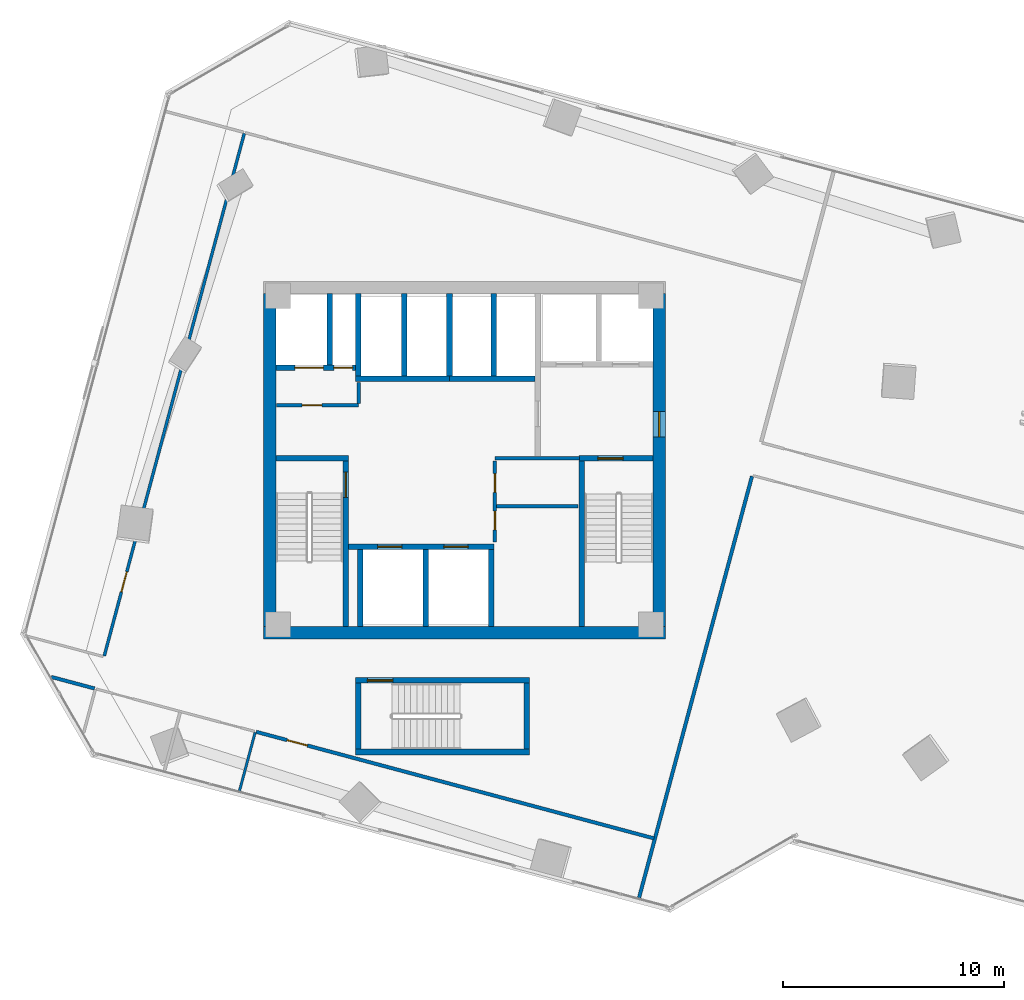
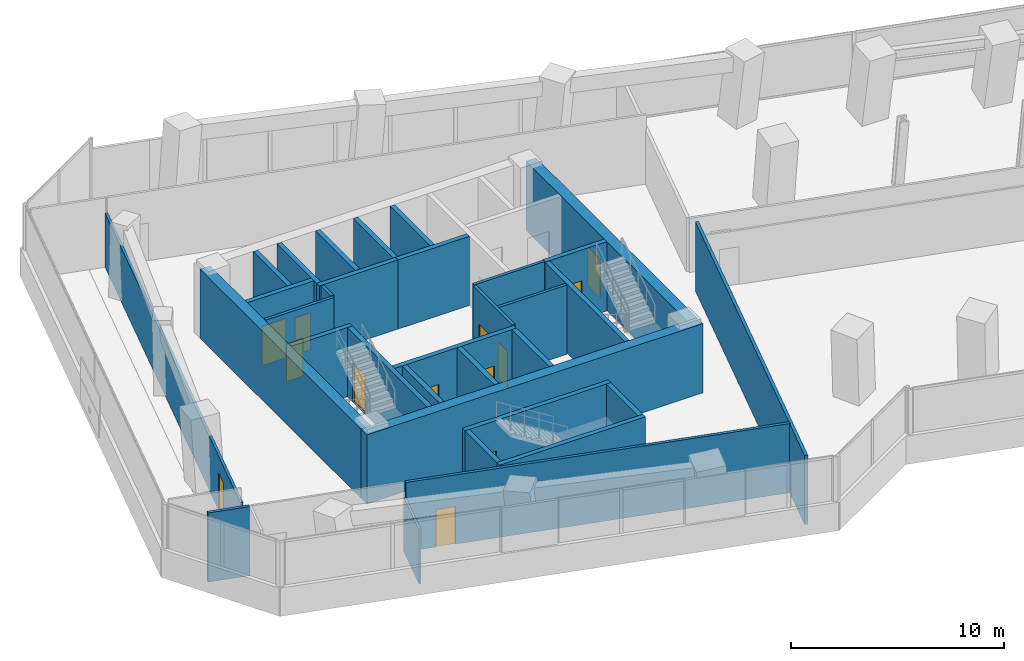
# One storey, part 21 of 27: 33 walls, 13 doors, 13 openings.
"""IFC4 building model written with IfcOpenShell, lengths in metres."""

from ifc_helpers import new_model, si_unit, direction, frame, frame_2d, origin, place, context, subcontext, project, spatial, rectangle, extrude, source, transform, mapped, material, layer, layer_set, type_object, element, fill, save


model = new_model("IFC4")

# Units and contexts
model_context = context("Model", 3, precision=1e-05, world=origin(), true_north=direction((0.0, 1.0)))
body_context = subcontext(model_context, "Body", "Model", "MODEL_VIEW")
ifc_project = project(units=[si_unit("LENGTHUNIT", "METRE"), si_unit("AREAUNIT", "SQUARE_METRE"), si_unit("VOLUMEUNIT", "CUBIC_METRE"), si_unit("PLANEANGLEUNIT", "RADIAN"), si_unit("MASSUNIT", "GRAM", prefix="KILO")], contexts=[model_context])

# Site, building, storey
site_placement = place(None, origin())
site = spatial("IfcSite", under=ifc_project, at=site_placement, CompositionType="ELEMENT")
building_placement = place(site_placement, origin())
building = spatial("IfcBuilding", under=site, at=building_placement, Name="Torre Montelarca", CompositionType="ELEMENT")
storey_placement = place(building_placement, frame((0.0, 0.0, 108.39990234375)))
storey = spatial("IfcBuildingStorey", under=building, at=storey_placement, Name="L24", CompositionType="ELEMENT", Elevation=108.39990234375)

# Wall, opening, door
ifc_material_1 = material(Name="Concrete C40/50", Category="concrete")
ifc_layer_1 = layer(ifc_material_1, 0.25, Name="Concrete C40/50", Category="concrete")
ifc_layer_set_1 = layer_set([ifc_layer_1], Name="Concrete C40/50")
wall_type_1 = type_object("IfcWallType", Name="CW-SHAFT-250", PredefinedType="SHEAR", material=ifc_layer_set_1)
wall_1_placement = place(storey_placement, frame((12.625, 24.4599609375, 0.0), z_axis=(0.0, 0.0, 1.0), x_axis=(0.0, 1.0, 0.0)))
wall_1 = element("IfcWall", 1, at=wall_1_placement, inside=storey, type_object=wall_type_1, Name="L24 Core Shear Wall SH-ST1-E", PredefinedType="SHEAR", context=body_context, shape_type="SweptSolid", body=[
    extrude(rectangle(XDim=7.489990234375, YDim=0.25, at=frame_2d((3.7451171875, 0.0))), origin(), (0.0, 0.0, 1.0), 3.960205078125),
])
opening_1_placement = place(wall_1_placement, frame((5.85009765625, 0.0, 0.0)))
opening_1 = element("IfcOpeningElement", 2, at=opening_1_placement, cuts=wall_1, Name="Opening FD-ST1", PredefinedType="OPENING", context=body_context, shape_type="SweptSolid", body=[
    extrude(rectangle(XDim=1.14990234375, YDim=2.199951171875, at=frame_2d((0.574951171875, 1.10009765625))), frame((0.0, 0.135009765625, 0.0), z_axis=(0.0, -1.0, 0.0), x_axis=(1.0, 0.0, 0.0)), (0.0, 0.0, 1.0), 0.27001953125),
])
ifc_material_2 = material(Name="Galvanized steel fire door", Category="steel")
door_type_1 = type_object("IfcDoorType", Name="DR-STAIR-115", OperationType="NOTDEFINED", PredefinedType="DOOR", material=ifc_material_2)
shared_shape_1 = source(origin(), body_context, "Body", "SweptSolid", [
    extrude(rectangle(XDim=1.14990234375, YDim=2.199951171875, at=frame_2d((0.574951171875, 1.10009765625))), frame((0.0, 0.02490234375, 0.0), z_axis=(0.0, -1.0, 0.0), x_axis=(1.0, 0.0, 0.0)), (0.0, 0.0, 1.0), 0.050048828125),
])
door_1_placement = place(opening_1_placement, origin())
door_1 = element("IfcDoor", 3, at=door_1_placement, inside=storey, type_object=door_type_1, Name="L24 Exit Stair ST1 Fire Door", OperationType="SINGLE_SWING_RIGHT", OverallHeight=2.199951171875, OverallWidth=1.14990234375, PredefinedType="DOOR", context=body_context, shape_type="MappedRepresentation", body=[
    mapped(shared_shape_1, transform((0.0, 0.0, 0.0), scale=1.0)),
])
fill(opening_1, door_1)

# Walls
wall_2_placement = place(storey_placement, frame((9.4599609375, 32.074951171875, 0.0), z_axis=(0.0, 0.0, 1.0), x_axis=(1.0, 0.0, 0.0)))
element("IfcWall", 4, at=wall_2_placement, inside=storey, type_object=wall_type_1, Name="L24 Core Shear Wall SH-ST1-N", PredefinedType="SHEAR", context=body_context, shape_type="SweptSolid", body=[
    extrude(rectangle(XDim=3.2900390625, YDim=0.25, at=frame_2d((1.64501953125, 0.0))), origin(), (0.0, 0.0, 1.0), 3.960205078125),
])
wall_3_placement = place(storey_placement, frame((23.31494140625, 24.4599609375, 0.0), z_axis=(0.0, 0.0, 1.0), x_axis=(0.0, 1.0, 0.0)))
element("IfcWall", 5, at=wall_3_placement, inside=storey, type_object=wall_type_1, Name="L24 Core Shear Wall SH-ST2-W", PredefinedType="SHEAR", context=body_context, shape_type="SweptSolid", body=[
    extrude(rectangle(XDim=7.489990234375, YDim=0.25, at=frame_2d((3.7451171875, 0.0))), origin(), (0.0, 0.0, 1.0), 3.960205078125),
])

# Wall, opening, door
wall_4_placement = place(storey_placement, frame((23.18994140625, 32.074951171875, 0.0), z_axis=(0.0, 0.0, 1.0), x_axis=(1.0, 0.0, 0.0)))
wall_4 = element("IfcWall", 6, at=wall_4_placement, inside=storey, type_object=wall_type_1, Name="L24 Core Shear Wall SH-ST2-N", PredefinedType="SHEAR", context=body_context, shape_type="SweptSolid", body=[
    extrude(rectangle(XDim=3.35009765625, YDim=0.25, at=frame_2d((1.675048828125, 0.0))), origin(), (0.0, 0.0, 1.0), 3.960205078125),
])
opening_2_placement = place(wall_4_placement, frame((0.85009765625, 0.0, 0.0)))
opening_2 = element("IfcOpeningElement", 7, at=opening_2_placement, cuts=wall_4, Name="Opening FD-ST1", PredefinedType="OPENING", context=body_context, shape_type="SweptSolid", body=[
    extrude(rectangle(XDim=1.14990234375, YDim=2.199951171875, at=frame_2d((0.574951171875, 1.10009765625))), frame((0.0, 0.135009765625, 0.0), z_axis=(0.0, -1.0, 0.0), x_axis=(1.0, 0.0, 0.0)), (0.0, 0.0, 1.0), 0.27001953125),
])
door_2_placement = place(opening_2_placement, origin())
door_2 = element("IfcDoor", 8, at=door_2_placement, inside=storey, type_object=door_type_1, Name="L24 Exit Stair ST2 Fire Door", OperationType="SINGLE_SWING_RIGHT", OverallHeight=2.199951171875, OverallWidth=1.14990234375, PredefinedType="DOOR", context=body_context, shape_type="MappedRepresentation", body=[
    mapped(shared_shape_1, transform((0.0, 0.0, 0.0), scale=1.0)),
])
fill(opening_2, door_2)

# Wall, openings, doors
wall_5_placement = place(storey_placement, frame((9.4599609375, 36.179931640625, 0.0), z_axis=(0.0, 0.0, 1.0), x_axis=(1.0, 0.0, 0.0)))
wall_5 = element("IfcWall", 9, at=wall_5_placement, inside=storey, type_object=wall_type_1, Name="L24 Core Shear Wall SH-SV1-S", PredefinedType="SHEAR", context=body_context, shape_type="SweptSolid", body=[
    extrude(rectangle(XDim=3.7900390625, YDim=0.25, at=frame_2d((1.89501953125, 0.0))), origin(), (0.0, 0.0, 1.0), 3.960205078125),
])
opening_3_placement = place(wall_5_placement, frame((2.6201171875, 0.0, 0.0)))
opening_3 = element("IfcOpeningElement", 10, at=opening_3_placement, cuts=wall_5, Name="Opening FD-085", PredefinedType="OPENING", context=body_context, shape_type="SweptSolid", body=[
    extrude(rectangle(XDim=0.85009765625, YDim=2.10009765625, at=frame_2d((0.425048828125, 1.050048828125))), frame((0.0, 0.135009765625, 0.0), z_axis=(0.0, -1.0, 0.0), x_axis=(1.0, 0.0, 0.0)), (0.0, 0.0, 1.0), 0.27001953125),
])
opening_4_placement = place(wall_5_placement, frame((0.85009765625, 0.0, 0.0)))
opening_4 = element("IfcOpeningElement", 11, at=opening_4_placement, cuts=wall_5, Name="Opening LD-130", PredefinedType="OPENING", context=body_context, shape_type="SweptSolid", body=[
    extrude(rectangle(XDim=1.300048828125, YDim=2.25, at=frame_2d((0.64990234375, 1.125))), frame((0.0, 0.135009765625, 0.0), z_axis=(0.0, -1.0, 0.0), x_axis=(1.0, 0.0, 0.0)), (0.0, 0.0, 1.0), 0.27001953125),
])
ifc_material_3 = material(Name="Steel riser access fire door", Category="steel")
door_type_2 = type_object("IfcDoorType", Name="DR-RISER-085", OperationType="NOTDEFINED", PredefinedType="DOOR", material=ifc_material_3)
shared_shape_2 = source(origin(), body_context, "Body", "SweptSolid", [
    extrude(rectangle(XDim=0.85009765625, YDim=2.10009765625, at=frame_2d((0.425048828125, 1.050048828125))), frame((0.0, 0.02490234375, 0.0), z_axis=(0.0, -1.0, 0.0), x_axis=(1.0, 0.0, 0.0)), (0.0, 0.0, 1.0), 0.050048828125),
])
door_3_placement = place(opening_3_placement, origin())
door_3 = element("IfcDoor", 12, at=door_3_placement, inside=storey, type_object=door_type_2, Name="L24 Electrical Riser Shaft Access Door", OperationType="SINGLE_SWING_RIGHT", OverallHeight=2.10009765625, OverallWidth=0.85009765625, PredefinedType="DOOR", context=body_context, shape_type="MappedRepresentation", body=[
    mapped(shared_shape_2, transform((0.0, 0.0, 0.0), scale=1.0)),
])
fill(opening_3, door_3)
ifc_material_4 = material(Name="Brushed stainless steel AISI 316", Category="steel")
door_type_3 = type_object("IfcDoorType", Name="DR-LIFT-130", OperationType="SLIDING_TO_LEFT", PredefinedType="DOOR", material=ifc_material_4)
shared_shape_3 = source(origin(), body_context, "Body", "SweptSolid", [
    extrude(rectangle(XDim=1.300048828125, YDim=2.25, at=frame_2d((0.64990234375, 1.125))), frame((0.0, 0.02490234375, 0.0), z_axis=(0.0, -1.0, 0.0), x_axis=(1.0, 0.0, 0.0)), (0.0, 0.0, 1.0), 0.050048828125),
])
door_4_placement = place(opening_4_placement, origin())
door_4 = element("IfcDoor", 13, at=door_4_placement, inside=storey, type_object=door_type_3, Name="L24 Lift Landing Sliding Door SV-1", OperationType="SLIDING_TO_LEFT", OverallHeight=2.25, OverallWidth=1.300048828125, PredefinedType="DOOR", context=body_context, shape_type="MappedRepresentation", body=[
    mapped(shared_shape_3, transform((0.0, 0.0, 0.0), scale=1.0)),
])
fill(opening_4, door_4)

# Wall
wall_6_placement = place(storey_placement, frame((11.89990234375, 36.31005859375, 0.0), z_axis=(0.0, 0.0, 1.0), x_axis=(0.0, 1.0, 0.0)))
element("IfcWall", 14, at=wall_6_placement, inside=storey, type_object=wall_type_1, Name="L24 Core Shear Wall SH-SV1-E", PredefinedType="SHEAR", context=body_context, shape_type="SweptSolid", body=[
    extrude(rectangle(XDim=3.22998046875, YDim=0.25, at=frame_2d((1.614990234375, 0.0))), origin(), (0.0, 0.0, 1.0), 3.960205078125),
])

# Wall, openings, doors
wall_7_placement = place(storey_placement, frame((12.6298828125, 28.080078125, 0.0), z_axis=(0.0, 0.0, 1.0), x_axis=(1.0, 0.0, 0.0)))
wall_7 = element("IfcWall", 15, at=wall_7_placement, inside=storey, type_object=wall_type_1, Name="L24 Core Shear Wall SH-PLL-N", PredefinedType="SHEAR", context=body_context, shape_type="SweptSolid", body=[
    extrude(rectangle(XDim=6.710205078125, YDim=0.25, at=frame_2d((3.35498046875, 0.0))), origin(), (0.0, 0.0, 1.0), 3.960205078125),
])
opening_5_placement = place(wall_7_placement, frame((1.429931640625, 0.0, 0.0)))
opening_5 = element("IfcOpeningElement", 16, at=opening_5_placement, cuts=wall_7, Name="Opening LD-110", PredefinedType="OPENING", context=body_context, shape_type="SweptSolid", body=[
    extrude(rectangle(XDim=1.10009765625, YDim=2.199951171875, at=frame_2d((0.550048828125, 1.10009765625))), frame((0.0, 0.135009765625, 0.0), z_axis=(0.0, -1.0, 0.0), x_axis=(1.0, 0.0, 0.0)), (0.0, 0.0, 1.0), 0.27001953125),
])
opening_6_placement = place(wall_7_placement, frame((4.429931640625, 0.0, 0.0)))
opening_6 = element("IfcOpeningElement", 17, at=opening_6_placement, cuts=wall_7, Name="Opening LD-110", PredefinedType="OPENING", context=body_context, shape_type="SweptSolid", body=[
    extrude(rectangle(XDim=1.10009765625, YDim=2.199951171875, at=frame_2d((0.550048828125, 1.10009765625))), frame((0.0, 0.135009765625, 0.0), z_axis=(0.0, -1.0, 0.0), x_axis=(1.0, 0.0, 0.0)), (0.0, 0.0, 1.0), 0.27001953125),
])
door_type_4 = type_object("IfcDoorType", Name="DR-LIFT-110", OperationType="SLIDING_TO_LEFT", PredefinedType="DOOR", material=ifc_material_4)
shared_shape_4 = source(origin(), body_context, "Body", "SweptSolid", [
    extrude(rectangle(XDim=1.10009765625, YDim=2.199951171875, at=frame_2d((0.550048828125, 1.10009765625))), frame((0.0, 0.02490234375, 0.0), z_axis=(0.0, -1.0, 0.0), x_axis=(1.0, 0.0, 0.0)), (0.0, 0.0, 1.0), 0.050048828125),
])
door_5_placement = place(opening_5_placement, origin())
door_5 = element("IfcDoor", 18, at=door_5_placement, inside=storey, type_object=door_type_4, Name="L24 Lift Landing Sliding Door PL-L1", OperationType="SLIDING_TO_LEFT", OverallHeight=2.199951171875, OverallWidth=1.10009765625, PredefinedType="DOOR", context=body_context, shape_type="MappedRepresentation", body=[
    mapped(shared_shape_4, transform((0.0, 0.0, 0.0), scale=1.0)),
])
fill(opening_5, door_5)
door_6_placement = place(opening_6_placement, origin())
door_6 = element("IfcDoor", 19, at=door_6_placement, inside=storey, type_object=door_type_4, Name="L24 Lift Landing Sliding Door PL-L2", OperationType="SLIDING_TO_RIGHT", OverallHeight=2.199951171875, OverallWidth=1.10009765625, PredefinedType="DOOR", context=body_context, shape_type="MappedRepresentation", body=[
    mapped(shared_shape_4, transform((0.0, 0.0, 0.0), scale=1.0)),
])
fill(opening_6, door_6)

# Walls
for number, where, z_axis, x_axis, name in (
    (20, (13.280029296875, 24.4599609375, 0.0), (0.0, 0.0, 1.0), (0.0, 1.0, 0.0), "L24 Core Shear Wall SH-PLL-W"),
    (21, (16.25, 24.4599609375, 0.0), (0.0, 0.0, 1.0), (0.0, 1.0, 0.0), "L24 Core Shear Wall SH-PLL-M"),
    (22, (19.219970703125, 24.4599609375, 0.0), (0.0, 0.0, 1.0), (0.0, 1.0, 0.0), "L24 Core Shear Wall SH-PLL-E"),
):
    element("IfcWall", number, at=place(storey_placement, frame(where, z_axis=z_axis, x_axis=x_axis)), inside=storey, type_object=wall_type_1, Name=name, PredefinedType="SHEAR", context=body_context, shape_type="SweptSolid", body=[
        extrude(rectangle(XDim=3.489990234375, YDim=0.25, at=frame_2d((1.7451171875, 0.0))), origin(), (0.0, 0.0, 1.0), 3.960205078125),
    ])
wall_8_placement = place(storey_placement, frame((13.06005859375, 35.679931640625, 0.0), z_axis=(0.0, 0.0, 1.0), x_axis=(1.0, 0.0, 0.0)))
element("IfcWall", 23, at=wall_8_placement, inside=storey, type_object=wall_type_1, Name="L24 Core Shear Wall SH-PLM-S", PredefinedType="SHEAR", context=body_context, shape_type="SweptSolid", body=[
    extrude(rectangle(XDim=4.25, YDim=0.25, at=frame_2d((2.125, 0.0))), origin(), (0.0, 0.0, 1.0), 3.960205078125),
])
for number, where, z_axis, x_axis, name in (
    (24, (13.179931640625, 35.81005859375, 0.0), (0.0, 0.0, 1.0), (0.0, 1.0, 0.0), "L24 Core Shear Wall SH-PLM-W"),
    (25, (15.280029296875, 35.81005859375, 0.0), (0.0, 0.0, 1.0), (0.0, 1.0, 0.0), "L24 Core Shear Wall SH-PLM-M"),
):
    element("IfcWall", number, at=place(storey_placement, frame(where, z_axis=z_axis, x_axis=x_axis)), inside=storey, type_object=wall_type_1, Name=name, PredefinedType="SHEAR", context=body_context, shape_type="SweptSolid", body=[
        extrude(rectangle(XDim=3.72998046875, YDim=0.25, at=frame_2d((1.864990234375, 0.0))), origin(), (0.0, 0.0, 1.0), 3.960205078125),
    ])
wall_9_placement = place(storey_placement, frame((17.320068359375, 35.679931640625, 0.0), z_axis=(0.0, 0.0, 1.0), x_axis=(1.0, 0.0, 0.0)))
element("IfcWall", 26, at=wall_9_placement, inside=storey, type_object=wall_type_1, Name="L24 Core Shear Wall SH-PLH-S", PredefinedType="SHEAR", context=body_context, shape_type="SweptSolid", body=[
    extrude(rectangle(XDim=3.869873046875, YDim=0.25, at=frame_2d((1.93505859375, 0.0))), origin(), (0.0, 0.0, 1.0), 3.960205078125),
])
for number, where, z_axis, x_axis, name in (
    (27, (17.320068359375, 35.81005859375, 0.0), (0.0, 0.0, 1.0), (0.0, 1.0, 0.0), "L24 Core Shear Wall SH-PLH-W"),
    (28, (19.320068359375, 35.81005859375, 0.0), (0.0, 0.0, 1.0), (0.0, 1.0, 0.0), "L24 Core Shear Wall SH-PLH-M"),
):
    element("IfcWall", number, at=place(storey_placement, frame(where, z_axis=z_axis, x_axis=x_axis)), inside=storey, type_object=wall_type_1, Name=name, PredefinedType="SHEAR", context=body_context, shape_type="SweptSolid", body=[
        extrude(rectangle(XDim=3.72998046875, YDim=0.25, at=frame_2d((1.864990234375, 0.0))), origin(), (0.0, 0.0, 1.0), 3.960205078125),
    ])
for number, where, z_axis, x_axis, name in (
    (29, (13.175048828125, 18.89990234375, 0.0), (0.0, 0.0, 1.0), (0.0, 1.0, 0.0), "L24 Core Shear Wall SH-ST3-W"),
    (30, (20.824951171875, 18.89990234375, 0.0), (0.0, 0.0, 1.0), (0.0, 1.0, 0.0), "L24 Core Shear Wall SH-ST3-E"),
):
    element("IfcWall", number, at=place(storey_placement, frame(where, z_axis=z_axis, x_axis=x_axis)), inside=storey, type_object=wall_type_1, Name=name, PredefinedType="SHEAR", context=body_context, shape_type="SweptSolid", body=[
        extrude(rectangle(XDim=2.989990234375, YDim=0.25, at=frame_2d((1.4951171875, 0.0))), origin(), (0.0, 0.0, 1.0), 3.960205078125),
    ])
wall_10_placement = place(storey_placement, frame((13.050048828125, 18.77490234375, 0.0), z_axis=(0.0, 0.0, 1.0), x_axis=(1.0, 0.0, 0.0)))
element("IfcWall", 31, at=wall_10_placement, inside=storey, type_object=wall_type_1, Name="L24 Core Shear Wall SH-ST3-S", PredefinedType="SHEAR", context=body_context, shape_type="SweptSolid", body=[
    extrude(rectangle(XDim=7.89990234375, YDim=0.25, at=frame_2d((3.949951171875, 0.0))), origin(), (0.0, 0.0, 1.0), 3.960205078125),
])

# Wall, opening, door
wall_11_placement = place(storey_placement, frame((13.050048828125, 22.014892578125, 0.0), z_axis=(0.0, 0.0, 1.0), x_axis=(1.0, 0.0, 0.0)))
wall_11 = element("IfcWall", 32, at=wall_11_placement, inside=storey, type_object=wall_type_1, Name="L24 Core Shear Wall SH-ST3-N", PredefinedType="SHEAR", context=body_context, shape_type="SweptSolid", body=[
    extrude(rectangle(XDim=7.89990234375, YDim=0.25, at=frame_2d((3.949951171875, 0.0))), origin(), (0.0, 0.0, 1.0), 3.960205078125),
])
opening_7_placement = place(wall_11_placement, frame((0.550048828125, 0.0, 0.0)))
opening_7 = element("IfcOpeningElement", 33, at=opening_7_placement, cuts=wall_11, Name="Opening FD-ST1", PredefinedType="OPENING", context=body_context, shape_type="SweptSolid", body=[
    extrude(rectangle(XDim=1.14990234375, YDim=2.199951171875, at=frame_2d((0.574951171875, 1.10009765625))), frame((0.0, 0.135009765625, 0.0), z_axis=(0.0, -1.0, 0.0), x_axis=(1.0, 0.0, 0.0)), (0.0, 0.0, 1.0), 0.27001953125),
])
door_7_placement = place(opening_7_placement, origin())
door_7 = element("IfcDoor", 34, at=door_7_placement, inside=storey, type_object=door_type_1, Name="L24 Exit Stair ST3 Fire Door", OperationType="SINGLE_SWING_LEFT", OverallHeight=2.199951171875, OverallWidth=1.14990234375, PredefinedType="DOOR", context=body_context, shape_type="MappedRepresentation", body=[
    mapped(shared_shape_1, transform((0.0, 0.0, 0.0), scale=1.0)),
])
fill(opening_7, door_7)

# Wall
ifc_material_5 = material(Name="Concrete C70/85", Category="concrete")
ifc_layer_2 = layer(ifc_material_5, 0.550048828125, Name="Concrete C70/85", Category="concrete")
ifc_layer_set_2 = layer_set([ifc_layer_2], Name="Concrete C70/85")
wall_type_2 = type_object("IfcWallType", Name="CW-SHEAR-550", PredefinedType="SHEAR", material=ifc_layer_set_2)
wall_12_placement = place(storey_placement, frame((9.175048828125, 24.449951171875, 0.0), z_axis=(0.0, 0.0, 1.0), x_axis=(0.0, 1.0, 0.0)))
element("IfcWall", 35, at=wall_12_placement, inside=storey, type_object=wall_type_2, Name="L24 Core Shear Wall CW-W", PredefinedType="SHEAR", context=body_context, shape_type="SweptSolid", body=[
    extrude(rectangle(XDim=15.10009765625, YDim=0.550048828125, at=frame_2d((7.550048828125, 0.0))), origin(), (0.0, 0.0, 1.0), 3.960205078125),
])

# Wall, opening, door
wall_13_placement = place(storey_placement, frame((26.824951171875, 24.449951171875, 0.0), z_axis=(0.0, 0.0, 1.0), x_axis=(0.0, 1.0, 0.0)))
wall_13 = element("IfcWall", 36, at=wall_13_placement, inside=storey, type_object=wall_type_2, Name="L24 Core Shear Wall CW-E", PredefinedType="SHEAR", context=body_context, shape_type="SweptSolid", body=[
    extrude(rectangle(XDim=15.10009765625, YDim=0.550048828125, at=frame_2d((7.550048828125, 0.0))), origin(), (0.0, 0.0, 1.0), 3.960205078125),
])
opening_8_placement = place(wall_13_placement, frame((8.60009765625, 0.0, 0.0)))
opening_8 = element("IfcOpeningElement", 37, at=opening_8_placement, cuts=wall_13, Name="Opening FD-LB1", PredefinedType="OPENING", context=body_context, shape_type="SweptSolid", body=[
    extrude(rectangle(XDim=1.14990234375, YDim=2.199951171875, at=frame_2d((0.574951171875, 1.10009765625))), frame((0.0, 0.28515625, 0.0), z_axis=(0.0, -1.0, 0.0), x_axis=(1.0, 0.0, 0.0)), (0.0, 0.0, 1.0), 0.570068359375),
])
ifc_material_6 = material(Name="Acoustic timber-veneered fire door", Category="wood")
door_type_5 = type_object("IfcDoorType", Name="DR-LOBBY-115", OperationType="NOTDEFINED", PredefinedType="DOOR", material=ifc_material_6)
shared_shape_5 = source(origin(), body_context, "Body", "SweptSolid", [
    extrude(rectangle(XDim=1.14990234375, YDim=2.199951171875, at=frame_2d((0.574951171875, 1.10009765625))), frame((0.0, 0.02490234375, 0.0), z_axis=(0.0, -1.0, 0.0), x_axis=(1.0, 0.0, 0.0)), (0.0, 0.0, 1.0), 0.050048828125),
])
door_8_placement = place(opening_8_placement, origin())
door_8 = element("IfcDoor", 38, at=door_8_placement, inside=storey, type_object=door_type_5, Name="L24 Firefighting Lift Lobby Corridor Fire Door", OperationType="SINGLE_SWING_RIGHT", OverallHeight=2.199951171875, OverallWidth=1.14990234375, PredefinedType="DOOR", context=body_context, shape_type="MappedRepresentation", body=[
    mapped(shared_shape_5, transform((0.0, 0.0, 0.0), scale=1.0)),
])
fill(opening_8, door_8)

# Wall
wall_14_placement = place(storey_placement, frame((8.89990234375, 24.175048828125, 0.0), z_axis=(0.0, 0.0, 1.0), x_axis=(1.0, 0.0, 0.0)))
element("IfcWall", 39, at=wall_14_placement, inside=storey, type_object=wall_type_2, Name="L24 Core Shear Wall CW-S1", PredefinedType="SHEAR", context=body_context, shape_type="SweptSolid", body=[
    extrude(rectangle(XDim=18.2001953125, YDim=0.550048828125, at=frame_2d((9.10009765625, 0.0))), origin(), (0.0, 0.0, 1.0), 3.960205078125),
])

# Wall, opening, door
ifc_material_7 = material(Name="Gypsum plasterboard on steel stud", Category="steel")
ifc_layer_3 = layer(ifc_material_7, 0.159912109375, Name="Gypsum plasterboard on steel stud", Category="steel")
ifc_layer_set_3 = layer_set([ifc_layer_3], Name="Gypsum plasterboard on steel stud")
wall_type_3 = type_object("IfcWallType", Name="PW-FIRE-160", PredefinedType="PARTITIONING", material=ifc_layer_set_3)
wall_15_placement = place(storey_placement, frame((9.489990234375, 34.47998046875, 0.0), z_axis=(0.0, 0.0, 1.0), x_axis=(1.0, 0.0, 0.0)))
wall_15 = element("IfcWall", 40, at=wall_15_placement, inside=storey, type_object=wall_type_3, Name="L24 Interior Partition CW-L24-SVS", PredefinedType="PARTITIONING", context=body_context, shape_type="SweptSolid", body=[
    extrude(rectangle(XDim=3.699951171875, YDim=0.159912109375, at=frame_2d((1.85009765625, 0.0))), origin(), (0.0, 0.0, 1.0), 3.960205078125),
])
opening_9_placement = place(wall_15_placement, frame((1.14990234375, 0.0, 0.0)))
opening_9 = element("IfcOpeningElement", 41, at=opening_9_placement, cuts=wall_15, Name="Opening FD-090", PredefinedType="OPENING", context=body_context, shape_type="SweptSolid", body=[
    extrude(rectangle(XDim=0.89990234375, YDim=2.14990234375, at=frame_2d((0.449951171875, 1.074951171875))), frame((0.0, 0.08984375, 0.0), z_axis=(0.0, -1.0, 0.0), x_axis=(1.0, 0.0, 0.0)), (0.0, 0.0, 1.0), 0.179931640625),
])
ifc_material_8 = material(Name="Steel service fire door", Category="steel")
door_type_6 = type_object("IfcDoorType", Name="DR-FIRE-090", OperationType="NOTDEFINED", PredefinedType="DOOR", material=ifc_material_8)
shared_shape_6 = source(origin(), body_context, "Body", "SweptSolid", [
    extrude(rectangle(XDim=0.89990234375, YDim=2.14990234375, at=frame_2d((0.449951171875, 1.074951171875))), frame((0.0, 0.02490234375, 0.0), z_axis=(0.0, -1.0, 0.0), x_axis=(1.0, 0.0, 0.0)), (0.0, 0.0, 1.0), 0.050048828125),
])
door_9_placement = place(opening_9_placement, origin())
door_9 = element("IfcDoor", 42, at=door_9_placement, inside=storey, type_object=door_type_6, Name="L24 Interior Door 01", OperationType="SINGLE_SWING_RIGHT", OverallHeight=2.14990234375, OverallWidth=0.89990234375, PredefinedType="DOOR", context=body_context, shape_type="MappedRepresentation", body=[
    mapped(shared_shape_6, transform((0.0, 0.0, 0.0), scale=1.0)),
])
fill(opening_9, door_9)

# Walls
wall_16_placement = place(storey_placement, frame((13.199951171875, 34.570068359375, 0.0), z_axis=(0.0, 0.0, 1.0), x_axis=(0.0, 1.0, 0.0)))
element("IfcWall", 43, at=wall_16_placement, inside=storey, type_object=wall_type_3, Name="L24 Interior Partition CW-L24-SVE", PredefinedType="PARTITIONING", context=body_context, shape_type="SweptSolid", body=[
    extrude(rectangle(XDim=0.93994140625, YDim=0.159912109375, at=frame_2d((0.469970703125, 0.0))), origin(), (0.0, 0.0, 1.0), 3.960205078125),
])
wall_17_placement = place(storey_placement, frame((19.389892578125, 32.080078125, 0.0), z_axis=(0.0, 0.0, 1.0), x_axis=(1.0, 0.0, 0.0)))
element("IfcWall", 44, at=wall_17_placement, inside=storey, type_object=wall_type_3, Name="L24 Interior Partition CW-L24-SEN", PredefinedType="PARTITIONING", context=body_context, shape_type="SweptSolid", body=[
    extrude(rectangle(XDim=3.820068359375, YDim=0.159912109375, at=frame_2d((1.91015625, 0.0))), origin(), (0.0, 0.0, 1.0), 3.960205078125),
])

# Wall, openings, doors
wall_18_placement = place(storey_placement, frame((19.3798828125, 28.2900390625, 0.0), z_axis=(0.0, 0.0, 1.0), x_axis=(0.0, 1.0, 0.0)))
wall_18 = element("IfcWall", 45, at=wall_18_placement, inside=storey, type_object=wall_type_3, Name="L24 Interior Partition CW-L24-SEW", PredefinedType="PARTITIONING", context=body_context, shape_type="SweptSolid", body=[
    extrude(rectangle(XDim=3.669921875, YDim=0.159912109375, at=frame_2d((1.8349609375, 0.0))), origin(), (0.0, 0.0, 1.0), 3.960205078125),
])
opening_10_placement = place(wall_18_placement, frame((0.550048828125, 0.0, 0.0)))
opening_10 = element("IfcOpeningElement", 46, at=opening_10_placement, cuts=wall_18, Name="Opening FD-085", PredefinedType="OPENING", context=body_context, shape_type="SweptSolid", body=[
    extrude(rectangle(XDim=0.85009765625, YDim=2.10009765625, at=frame_2d((0.425048828125, 1.050048828125))), frame((0.0, 0.08984375, 0.0), z_axis=(0.0, -1.0, 0.0), x_axis=(1.0, 0.0, 0.0)), (0.0, 0.0, 1.0), 0.179931640625),
])
opening_11_placement = place(wall_18_placement, frame((2.25, 0.0, 0.0)))
opening_11 = element("IfcOpeningElement", 47, at=opening_11_placement, cuts=wall_18, Name="Opening FD-085", PredefinedType="OPENING", context=body_context, shape_type="SweptSolid", body=[
    extrude(rectangle(XDim=0.85009765625, YDim=2.10009765625, at=frame_2d((0.425048828125, 1.050048828125))), frame((0.0, 0.08984375, 0.0), z_axis=(0.0, -1.0, 0.0), x_axis=(1.0, 0.0, 0.0)), (0.0, 0.0, 1.0), 0.179931640625),
])
door_10_placement = place(opening_10_placement, origin())
door_10 = element("IfcDoor", 48, at=door_10_placement, inside=storey, type_object=door_type_2, Name="L24 Interior Door 02", OperationType="SINGLE_SWING_LEFT", OverallHeight=2.10009765625, OverallWidth=0.85009765625, PredefinedType="DOOR", context=body_context, shape_type="MappedRepresentation", body=[
    mapped(shared_shape_2, transform((0.0, 0.0, 0.0), scale=1.0)),
])
fill(opening_10, door_10)
door_11_placement = place(opening_11_placement, origin())
door_11 = element("IfcDoor", 49, at=door_11_placement, inside=storey, type_object=door_type_2, Name="L24 Interior Door 03", OperationType="SINGLE_SWING_RIGHT", OverallHeight=2.10009765625, OverallWidth=0.85009765625, PredefinedType="DOOR", context=body_context, shape_type="MappedRepresentation", body=[
    mapped(shared_shape_2, transform((0.0, 0.0, 0.0), scale=1.0)),
])
fill(opening_11, door_11)

# Walls
wall_19_placement = place(storey_placement, frame((19.419921875, 29.89990234375, 0.0), z_axis=(0.0, 0.0, 1.0), x_axis=(1.0, 0.0, 0.0)))
element("IfcWall", 50, at=wall_19_placement, inside=storey, type_object=wall_type_3, Name="L24 Interior Partition CW-L24-SEM", PredefinedType="PARTITIONING", context=body_context, shape_type="SweptSolid", body=[
    extrude(rectangle(XDim=3.719970703125, YDim=0.159912109375, at=frame_2d((1.85986328125, 0.0))), origin(), (0.0, 0.0, 1.0), 3.960205078125),
])
wall_20_placement = place(storey_placement, frame((-0.7216796875, 22.176513671875, 0.0), z_axis=(0.0, 0.0, 1.0), x_axis=(0.965965207833, -0.258672026426, 0.0)))
element("IfcWall", 51, at=wall_20_placement, inside=storey, type_object=wall_type_3, Name="L24 Interior Partition W-L24-SOCCW", PredefinedType="PARTITIONING", context=body_context, shape_type="SweptSolid", body=[
    extrude(rectangle(XDim=2.031982421875, YDim=0.159912109375, at=frame_2d((1.01611328125, 0.0))), origin(), (0.0, 0.0, 1.0), 3.960205078125),
])

# Wall, opening, door
wall_21_placement = place(storey_placement, frame((8.562744140625, 19.688720703125, 0.0), z_axis=(0.0, 0.0, 1.0), x_axis=(0.965928721089, -0.258808241319, 0.0)))
wall_21 = element("IfcWall", 52, at=wall_21_placement, inside=storey, type_object=wall_type_3, Name="L24 Interior Partition W-L24-SOCCN", PredefinedType="PARTITIONING", context=body_context, shape_type="SweptSolid", body=[
    extrude(rectangle(XDim=18.659912109375, YDim=0.159912109375, at=frame_2d((9.330078125, 0.0))), origin(), (0.0, 0.0, 1.0), 3.960205078125),
])
opening_12_placement = place(wall_21_placement, frame((1.449951171875, 0.0, 0.0)))
opening_12 = element("IfcOpeningElement", 53, at=opening_12_placement, cuts=wall_21, Name="Opening FD-095", PredefinedType="OPENING", context=body_context, shape_type="SweptSolid", body=[
    extrude(rectangle(XDim=0.949951171875, YDim=2.14990234375, at=frame_2d((0.47509765625, 1.074951171875))), frame((0.0, 0.08984375, 0.0), z_axis=(0.0, -1.0, 0.0), x_axis=(1.0, 0.0, 0.0)), (0.0, 0.0, 1.0), 0.179931640625),
])
ifc_material_9 = material(Name="Timber fire-rated room door", Category="wood")
door_type_7 = type_object("IfcDoorType", Name="DR-FIRE-095", OperationType="NOTDEFINED", PredefinedType="DOOR", material=ifc_material_9)
shared_shape_7 = source(origin(), body_context, "Body", "SweptSolid", [
    extrude(rectangle(XDim=0.949951171875, YDim=2.14990234375, at=frame_2d((0.47509765625, 1.074951171875))), frame((0.0, 0.02490234375, 0.0), z_axis=(0.0, -1.0, 0.0), x_axis=(1.0, 0.0, 0.0)), (0.0, 0.0, 1.0), 0.050048828125),
])
door_12_placement = place(opening_12_placement, origin())
door_12 = element("IfcDoor", 54, at=door_12_placement, inside=storey, type_object=door_type_7, Name="L24 Interior Door 06", OperationType="SINGLE_SWING_RIGHT", OverallHeight=2.14990234375, OverallWidth=0.949951171875, PredefinedType="DOOR", context=body_context, shape_type="MappedRepresentation", body=[
    mapped(shared_shape_7, transform((0.0, 0.0, 0.0), scale=1.0)),
])
fill(opening_12, door_12)

# Walls
wall_22_placement = place(storey_placement, frame((25.90625, 12.163818359375, 0.0), z_axis=(0.0, 0.0, 1.0), x_axis=(0.258805595447, 0.965929430013, 0.0)))
element("IfcWall", 55, at=wall_22_placement, inside=storey, type_object=wall_type_3, Name="L24 Interior Partition W-L24-ECS", PredefinedType="PARTITIONING", context=body_context, shape_type="SweptSolid", body=[
    extrude(rectangle(XDim=19.77978515625, YDim=0.159912109375, at=frame_2d((9.889892578125, 0.0))), origin(), (0.0, 0.0, 1.0), 3.960205078125),
])
ifc_layer_4 = layer(ifc_material_7, 0.114990234375, Name="Gypsum plasterboard on steel stud", Category="steel")
ifc_layer_set_4 = layer_set([ifc_layer_4], Name="Gypsum plasterboard on steel stud")
wall_type_4 = type_object("IfcWallType", Name="PW-PART-115", PredefinedType="PARTITIONING", material=ifc_layer_set_4)
wall_23_placement = place(storey_placement, frame((7.8046875, 17.013916015625, 0.0), z_axis=(0.0, 0.0, 1.0), x_axis=(0.258832579125, 0.965922199757, 0.0)))
element("IfcWall", 56, at=wall_23_placement, inside=storey, type_object=wall_type_4, Name="L24 Interior Partition W-L24-SWCDIV", PredefinedType="PARTITIONING", context=body_context, shape_type="SweptSolid", body=[
    extrude(rectangle(XDim=2.739990234375, YDim=0.114990234375, at=frame_2d((1.3701171875, 0.0))), origin(), (0.0, 0.0, 1.0), 3.09521484375),
])

# Wall, opening, door
ifc_layer_5 = layer(ifc_material_7, 0.135009765625, Name="Gypsum plasterboard on steel stud", Category="steel")
ifc_layer_set_5 = layer_set([ifc_layer_5], Name="Gypsum plasterboard on steel stud")
wall_type_5 = type_object("IfcWallType", Name="PW-PART-135", PredefinedType="PARTITIONING", material=ifc_layer_set_5)
wall_24_placement = place(storey_placement, frame((1.678466796875, 23.1279296875, 0.0), z_axis=(0.0, 0.0, 1.0), x_axis=(0.258813756198, 0.965927243431, 0.0)))
wall_24 = element("IfcWall", 57, at=wall_24_placement, inside=storey, type_object=wall_type_5, Name="L24 Interior Partition W-L24-WWGE", PredefinedType="PARTITIONING", context=body_context, shape_type="SweptSolid", body=[
    extrude(rectangle(XDim=24.510009765625, YDim=0.135009765625, at=frame_2d((12.2548828125, 0.0))), origin(), (0.0, 0.0, 1.0), 3.09521484375),
])
opening_13_placement = place(wall_24_placement, frame((3.0, 0.0, 0.0)))
opening_13 = element("IfcOpeningElement", 58, at=opening_13_placement, cuts=wall_24, Name="Opening ID-095", PredefinedType="OPENING", context=body_context, shape_type="SweptSolid", body=[
    extrude(rectangle(XDim=0.949951171875, YDim=2.14990234375, at=frame_2d((0.47509765625, 1.074951171875))), frame((0.0, 0.07763671875, 0.0), z_axis=(0.0, -1.0, 0.0), x_axis=(1.0, 0.0, 0.0)), (0.0, 0.0, 1.0), 0.155029296875),
])
ifc_material_10 = material(Name="Hardwood acoustic timber veneer", Category="wood")
door_type_8 = type_object("IfcDoorType", Name="DR-INT-095", OperationType="NOTDEFINED", PredefinedType="DOOR", material=ifc_material_10)
shared_shape_8 = source(origin(), body_context, "Body", "SweptSolid", [
    extrude(rectangle(XDim=0.949951171875, YDim=2.14990234375, at=frame_2d((0.47509765625, 1.074951171875))), frame((0.0, 0.02490234375, 0.0), z_axis=(0.0, -1.0, 0.0), x_axis=(1.0, 0.0, 0.0)), (0.0, 0.0, 1.0), 0.050048828125),
])
door_13_placement = place(opening_13_placement, origin())
door_13 = element("IfcDoor", 59, at=door_13_placement, inside=storey, type_object=door_type_8, Name="L24 Interior Door 08", OperationType="SINGLE_SWING_LEFT", OverallHeight=2.14990234375, OverallWidth=0.949951171875, PredefinedType="DOOR", context=body_context, shape_type="MappedRepresentation", body=[
    mapped(shared_shape_8, transform((0.0, 0.0, 0.0), scale=1.0)),
])
fill(opening_13, door_13)

save(model, "model.ifc")
